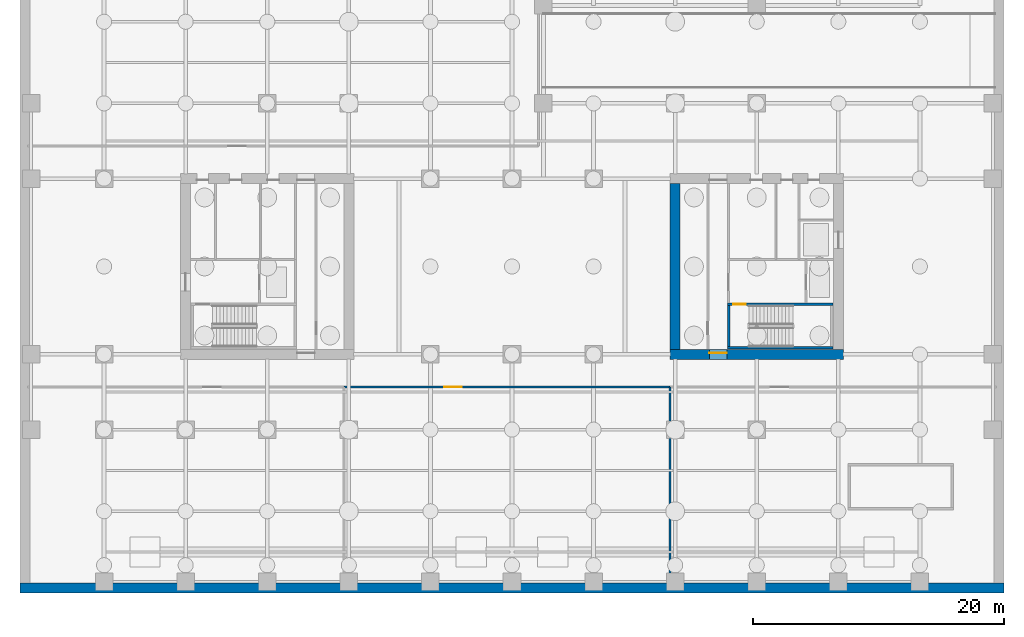
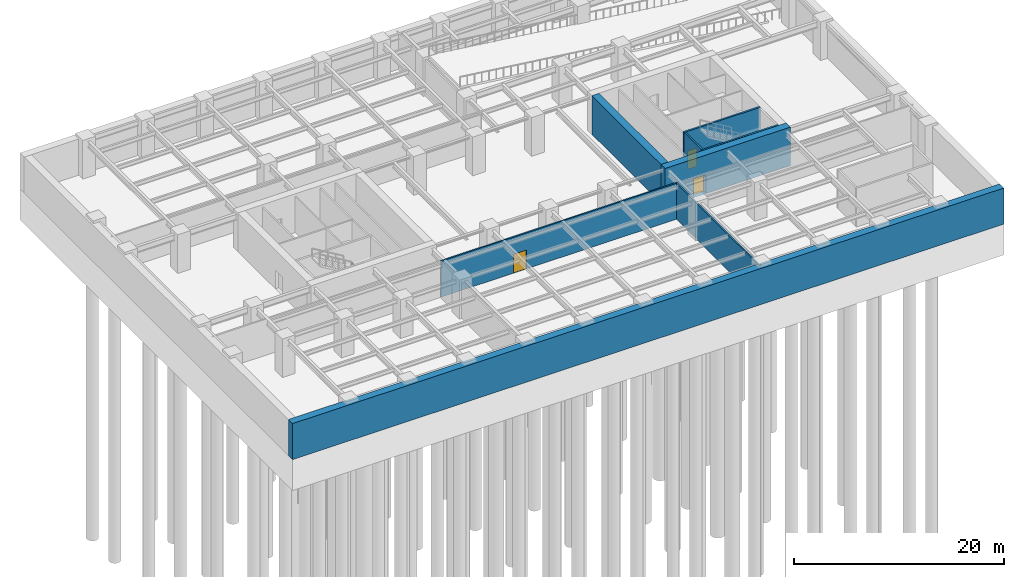
# One storey, part 5 of 11: 8 walls, 3 doors, 3 openings.
"""IFC4 building model written with IfcOpenShell, lengths in metres."""

from ifc_helpers import new_model, si_unit, direction, frame, frame_2d, origin, place, context, subcontext, project, spatial, rectangle, extrude, material, layer, layer_set, type_object, element, fill, save


model = new_model("IFC4")

# Units and contexts
model_context = context("Model", 3, precision=1e-05, world=origin(), true_north=direction((0.0, 1.0)))
body_context = subcontext(model_context, "Body", "Model", "MODEL_VIEW")
ifc_project = project(units=[si_unit("LENGTHUNIT", "METRE"), si_unit("AREAUNIT", "SQUARE_METRE"), si_unit("VOLUMEUNIT", "CUBIC_METRE"), si_unit("PLANEANGLEUNIT", "RADIAN"), si_unit("MASSUNIT", "GRAM", prefix="KILO")], contexts=[model_context])

# Site, building, storey
site_placement = place(None, origin())
site = spatial("IfcSite", under=ifc_project, at=site_placement, CompositionType="ELEMENT")
building_placement = place(site_placement, origin())
building = spatial("IfcBuilding", under=site, at=building_placement, Name="Putna Gate Headquarters", CompositionType="ELEMENT")
storey_placement = place(building_placement, frame((0.0, 0.0, -13.5)))
storey = spatial("IfcBuildingStorey", under=building, at=storey_placement, Name="B03", CompositionType="ELEMENT", Elevation=-13.5)

# Wall, opening, door
ifc_material_1 = material(Name="Concrete C60/75", Category="concrete")
ifc_layer_1 = layer(ifc_material_1, 0.800048828125)
ifc_layer_set_1 = layer_set([ifc_layer_1], Name="Concrete C60/75")
wall_type_1 = type_object("IfcWallType", Name="WALL-CORE-800", PredefinedType="SHEAR", material=ifc_layer_set_1)
wall_1_placement = place(storey_placement, frame((51.60009765625, 19.0, 0.0), z_axis=(0.0, 0.0, 1.0), x_axis=(1.0, 0.0, 0.0)))
wall_1 = element("IfcWall", 1, at=wall_1_placement, inside=storey, type_object=wall_type_1, Name="B03 EC Split Core Shear Wall S", PredefinedType="SHEAR", context=body_context, shape_type="SweptSolid", body=[
    extrude(rectangle(XDim=13.7998046875, YDim=0.800048828125, at=frame_2d((6.89990234375, 0.0))), origin(), (0.0, 0.0, 1.0), 4.5),
])
opening_1_placement = place(wall_1_placement, frame((3.1201171875, 0.0, 0.0)))
opening_1 = element("IfcOpeningElement", 2, at=opening_1_placement, cuts=wall_1, Name="Opening FDD-140", PredefinedType="OPENING", context=body_context, shape_type="SweptSolid", body=[
    extrude(rectangle(XDim=1.39990234375, YDim=2.199951171875, at=frame_2d((0.699951171875, 1.10009765625))), frame((0.0, 0.409912109375, 0.0), z_axis=(0.0, -1.0, 0.0), x_axis=(1.0, 0.0, 0.0)), (0.0, 0.0, 1.0), 0.820068359375),
])
ifc_material_2 = material(Name="Double steel fire door", Category="steel")
door_type_1 = type_object("IfcDoorType", Name="DOOR-FIRE-DBL-1400", OperationType="DOUBLE_DOOR_SINGLE_SWING", PredefinedType="DOOR", material=ifc_material_2)
door_1_placement = place(opening_1_placement, origin())
door_1 = element("IfcDoor", 3, at=door_1_placement, inside=storey, type_object=door_type_1, Name="B03 East Lift Lobby South Door", OperationType="DOUBLE_DOOR_SINGLE_SWING", OverallHeight=2.199951171875, OverallWidth=1.39990234375, PredefinedType="DOOR", context=body_context, shape_type="SweptSolid", body=[
    extrude(rectangle(XDim=1.39990234375, YDim=2.199951171875, at=frame_2d((0.699951171875, 1.10009765625))), frame((0.0, 0.125, 0.0), z_axis=(0.0, -1.0, 0.0), x_axis=(1.0, 0.0, 0.0)), (0.0, 0.0, 1.0), 0.050048828125),
])
fill(opening_1, door_1)

# Walls
wall_2_placement = place(storey_placement, frame((52.0, 19.39990234375, 0.0), z_axis=(0.0, 0.0, 1.0), x_axis=(0.0, 1.0, 0.0)))
element("IfcWall", 4, at=wall_2_placement, inside=storey, type_object=wall_type_1, Name="B03 EC Split Core Shear Wall W", PredefinedType="SHEAR", context=body_context, shape_type="SweptSolid", body=[
    extrude(rectangle(XDim=13.2001953125, YDim=0.800048828125, at=frame_2d((6.60009765625, 0.0))), origin(), (0.0, 0.0, 1.0), 4.5),
])
ifc_material_3 = material(Name="Concrete C40/50", Category="concrete")
ifc_layer_2 = layer(ifc_material_3, 0.800048828125)
ifc_layer_set_2 = layer_set([ifc_layer_2], Name="Concrete C40/50")
wall_type_2 = type_object("IfcWallType", Name="WALL-RET-800", PredefinedType="USERDEFINED", material=ifc_layer_set_2)
wall_3_placement = place(storey_placement, frame((-0.199951171875, 0.39990234375, 0.0), z_axis=(0.0, 0.0, 1.0), x_axis=(1.0, 0.0, 0.0)))
element("IfcWall", 5, at=wall_3_placement, inside=storey, type_object=wall_type_2, Name="B03 Basement Retaining Wall S", ObjectType="RETAININGWALL", PredefinedType="USERDEFINED", context=body_context, shape_type="SweptSolid", body=[
    extrude(rectangle(XDim=78.39990234375, YDim=0.800048828125, at=frame_2d((39.199951171875, 0.0))), origin(), (0.0, 0.0, 1.0), 4.199951171875),
])
ifc_layer_3 = layer(ifc_material_3, 0.159912109375)
ifc_layer_set_3 = layer_set([ifc_layer_3], Name="Concrete C40/50")
wall_type_3 = type_object("IfcWallType", Name="WALL-SHAFT-160", PredefinedType="STANDARD", material=ifc_layer_set_3)
wall_4_placement = place(storey_placement, frame((51.60009765625, 0.39990234375, 0.0), z_axis=(0.0, 0.0, 1.0), x_axis=(0.0, 1.0, 0.0)))
element("IfcWall", 6, at=wall_4_placement, inside=storey, type_object=wall_type_3, Name="B03 Interior Wall PART-B03-DIV2", PredefinedType="STANDARD", context=body_context, shape_type="SweptSolid", body=[
    extrude(rectangle(XDim=16.0, YDim=0.159912109375, at=frame_2d((8.0, 0.0))), origin(), (0.0, 0.0, 1.0), 4.199951171875),
])

# Wall, opening, door
wall_5_placement = place(storey_placement, frame((25.60009765625, 16.39990234375, 0.0), z_axis=(0.0, 0.0, 1.0), x_axis=(1.0, 0.0, 0.0)))
wall_5 = element("IfcWall", 7, at=wall_5_placement, inside=storey, type_object=wall_type_3, Name="B03 Interior Wall PART-B03-S2", PredefinedType="STANDARD", context=body_context, shape_type="SweptSolid", body=[
    extrude(rectangle(XDim=26.0, YDim=0.159912109375, at=frame_2d((13.0, 0.0))), origin(), (0.0, 0.0, 1.0), 4.199951171875),
])
opening_2_placement = place(wall_5_placement, frame((8.0, 0.0, 0.0)))
opening_2 = element("IfcOpeningElement", 8, at=opening_2_placement, cuts=wall_5, Name="Opening FDD-140", PredefinedType="OPENING", context=body_context, shape_type="SweptSolid", body=[
    extrude(rectangle(XDim=1.39990234375, YDim=2.199951171875, at=frame_2d((0.699951171875, 1.10009765625))), frame((0.0, 0.08984375, 0.0), z_axis=(0.0, -1.0, 0.0), x_axis=(1.0, 0.0, 0.0)), (0.0, 0.0, 1.0), 0.179931640625),
])
door_2_placement = place(opening_2_placement, origin())
door_2 = element("IfcDoor", 9, at=door_2_placement, inside=storey, type_object=door_type_1, Name="B03 Substation Plant Door", OperationType="DOUBLE_DOOR_SINGLE_SWING", OverallHeight=2.199951171875, OverallWidth=1.39990234375, PredefinedType="DOOR", context=body_context, shape_type="SweptSolid", body=[
    extrude(rectangle(XDim=1.39990234375, YDim=2.199951171875, at=frame_2d((0.699951171875, 1.10009765625))), frame((0.0, 0.02490234375, 0.0), z_axis=(0.0, -1.0, 0.0), x_axis=(1.0, 0.0, 0.0)), (0.0, 0.0, 1.0), 0.050048828125),
])
fill(opening_2, door_2)

# Wall
ifc_layer_4 = layer(ifc_material_3, 0.199951171875)
ifc_layer_set_4 = layer_set([ifc_layer_4], Name="Concrete C40/50")
wall_type_4 = type_object("IfcWallType", Name="WALL-SHAFT-RC200", PredefinedType="SHEAR", material=ifc_layer_set_4)
wall_6_placement = place(storey_placement, frame((56.159912109375, 19.510009765625, 0.0), z_axis=(0.0, 0.0, 1.0), x_axis=(1.0, 0.0, 0.0)))
element("IfcWall", 10, at=wall_6_placement, inside=storey, type_object=wall_type_4, Name="B03 Stair ST2 Structural Shaft Wall S", PredefinedType="SHEAR", context=body_context, shape_type="SweptSolid", body=[
    extrude(rectangle(XDim=8.43017578125, YDim=0.199951171875, at=frame_2d((4.215087890625, 0.0))), origin(), (0.0, 0.0, 1.0), 4.5),
])

# Wall, opening, door
wall_7_placement = place(storey_placement, frame((56.159912109375, 22.989990234375, 0.0), z_axis=(0.0, 0.0, 1.0), x_axis=(1.0, 0.0, 0.0)))
wall_7 = element("IfcWall", 11, at=wall_7_placement, inside=storey, type_object=wall_type_4, Name="B03 Stair ST2 Structural Shaft Wall N", PredefinedType="SHEAR", context=body_context, shape_type="SweptSolid", body=[
    extrude(rectangle(XDim=8.43017578125, YDim=0.199951171875, at=frame_2d((4.215087890625, 0.0))), origin(), (0.0, 0.0, 1.0), 4.5),
])
opening_3_placement = place(wall_7_placement, frame((0.449951171875, 0.0, 0.0)))
opening_3 = element("IfcOpeningElement", 12, at=opening_3_placement, cuts=wall_7, Name="Opening FD-100", PredefinedType="OPENING", context=body_context, shape_type="SweptSolid", body=[
    extrude(rectangle(XDim=1.0, YDim=2.14990234375, at=frame_2d((0.5, 1.074951171875))), frame((0.0, 0.10986328125, 0.0), z_axis=(0.0, -1.0, 0.0), x_axis=(1.0, 0.0, 0.0)), (0.0, 0.0, 1.0), 0.219970703125),
])
ifc_material_4 = material(Name="Powder-coated steel fire door", Category="steel")
door_type_2 = type_object("IfcDoorType", Name="DOOR-FIRE-1000", OperationType="NOTDEFINED", PredefinedType="DOOR", material=ifc_material_4)
door_3_placement = place(opening_3_placement, origin())
door_3 = element("IfcDoor", 13, at=door_3_placement, inside=storey, type_object=door_type_2, Name="B03 Stair ST2 Fire Door", OperationType="SINGLE_SWING_RIGHT", OverallHeight=2.14990234375, OverallWidth=1.0, PredefinedType="DOOR", context=body_context, shape_type="SweptSolid", body=[
    extrude(rectangle(XDim=1.0, YDim=2.14990234375, at=frame_2d((0.5, 1.074951171875))), frame((0.0, 0.02490234375, 0.0), z_axis=(0.0, -1.0, 0.0), x_axis=(1.0, 0.0, 0.0)), (0.0, 0.0, 1.0), 0.050048828125),
])
fill(opening_3, door_3)

# Wall
wall_8_placement = place(storey_placement, frame((56.260009765625, 19.610107421875, 0.0), z_axis=(0.0, 0.0, 1.0), x_axis=(0.0, 1.0, 0.0)))
element("IfcWall", 14, at=wall_8_placement, inside=storey, type_object=wall_type_4, Name="B03 Stair ST2 Structural Shaft Wall W", PredefinedType="SHEAR", context=body_context, shape_type="SweptSolid", body=[
    extrude(rectangle(XDim=3.27978515625, YDim=0.199951171875, at=frame_2d((1.639892578125, 0.0))), origin(), (0.0, 0.0, 1.0), 4.5),
])

save(model, "model.ifc")
